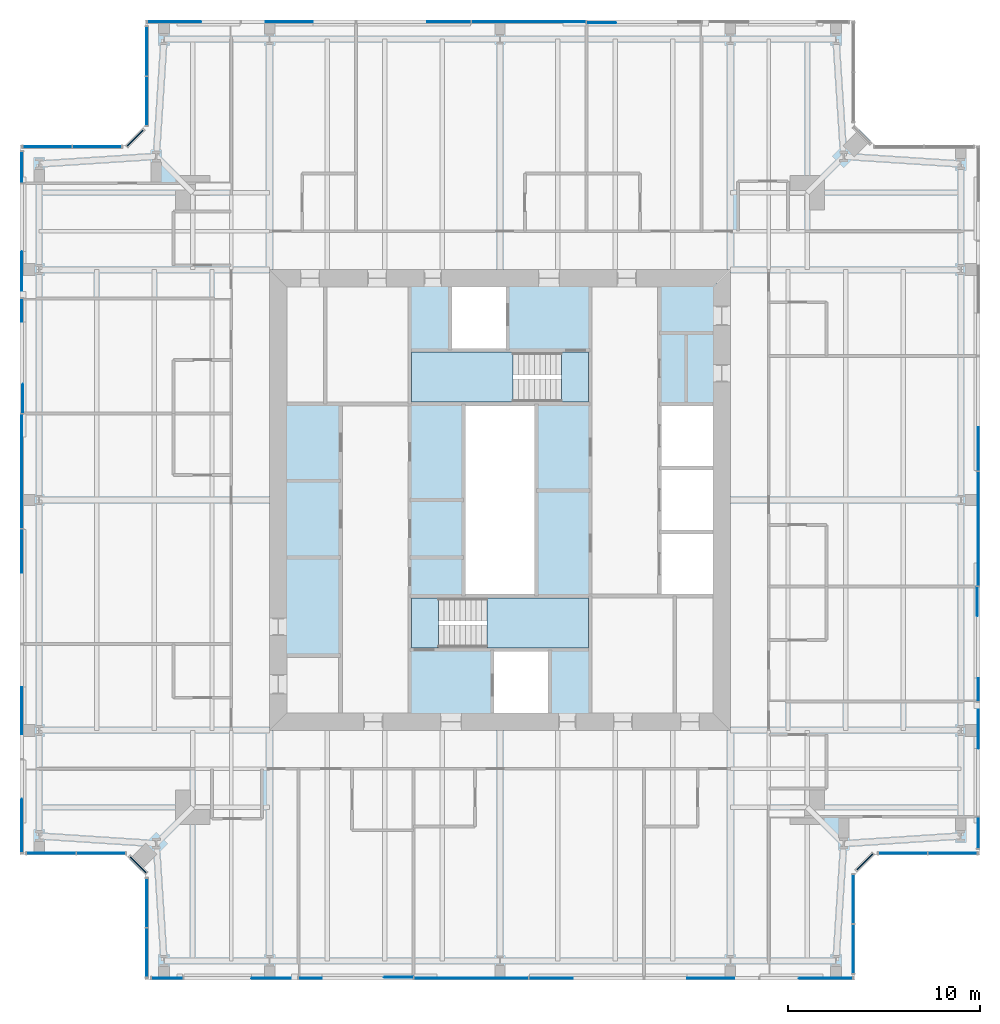
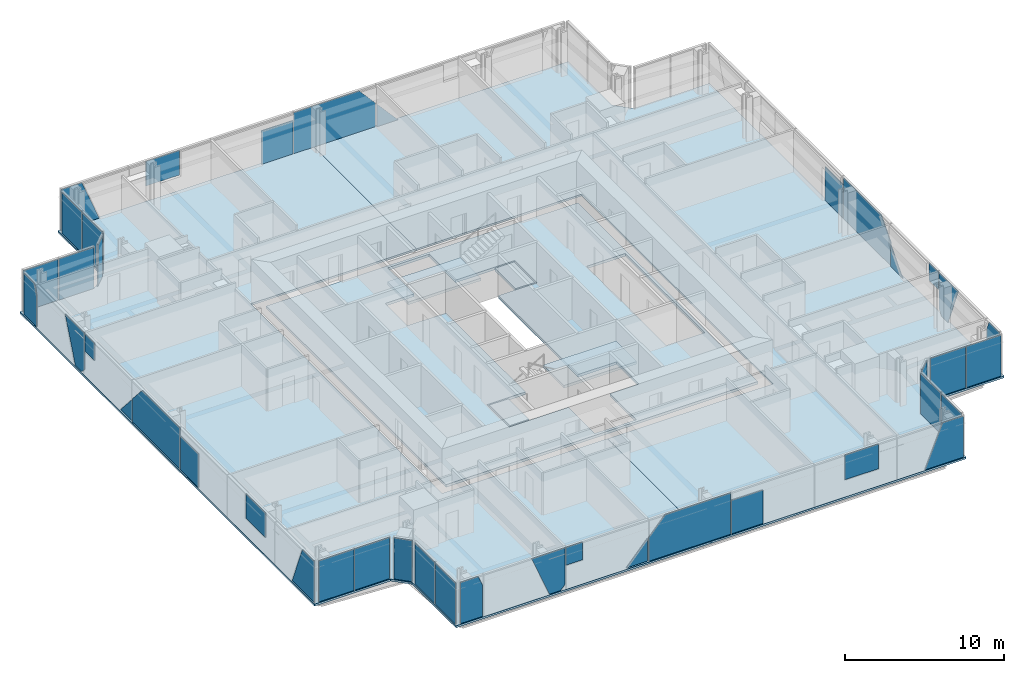
# One storey, part 10 of 19: 42 plates, 7 slabs, 15 elements without a shape of their own.
"""IFC4 building model written with IfcOpenShell, lengths in metres."""

from ifc_helpers import new_model, si_unit, direction, frame, origin, origin_2d, place, context, subcontext, project, spatial, polyline, rectangle, outline, extrude, material, layer, layer_set, type_object, element, aggregate, save


model = new_model("IFC4")

# Units and contexts
model_context = context("Model", 3, precision=1e-05, world=origin(), true_north=direction((0.0, 1.0)))
body_context = subcontext(model_context, "Body", "Model", "MODEL_VIEW")
ifc_project = project(units=[si_unit("LENGTHUNIT", "METRE"), si_unit("AREAUNIT", "SQUARE_METRE"), si_unit("VOLUMEUNIT", "CUBIC_METRE"), si_unit("PLANEANGLEUNIT", "RADIAN"), si_unit("MASSUNIT", "GRAM", prefix="KILO")], contexts=[model_context])

# Site, building, storey
site_placement = place(None, origin())
site = spatial("IfcSite", under=ifc_project, at=site_placement, CompositionType="ELEMENT")
building_placement = place(site_placement, origin())
building = spatial("IfcBuilding", under=site, at=building_placement, Name="Fenwick Lantern Interchange", CompositionType="ELEMENT")
storey_placement = place(building_placement, frame((0.0, 0.0, 273.0)))
storey = spatial("IfcBuildingStorey", under=building, at=storey_placement, Name="L65", CompositionType="ELEMENT", Elevation=273.0)

# Slabs
ifc_material_1 = material(Name="Concrete f'c 35 MPa", Category="concrete")
ifc_layer_1 = layer(ifc_material_1, 0.199951171875)
ifc_layer_set_1 = layer_set([ifc_layer_1], Name="CORE FLOOR SLAB 200")
slab_type_1 = type_object("IfcSlabType", Name="CORE FLOOR SLAB 200", PredefinedType="FLOOR", material=ifc_layer_set_1)
slab_1_placement = place(storey_placement, frame((0.0, 0.0, -0.199951171875)))
element("IfcSlab", 1, at=slab_1_placement, inside=storey, type_object=slab_type_1, Name="L65/SLAB/CORE", PredefinedType="FLOOR", context=body_context, shape_type="SweptSolid", body=[
    extrude(outline(polyline([(13.699951171875, 36.300048828125), (36.300048828125, 36.300048828125), (36.300048828125, 13.699951171875), (13.699951171875, 13.699951171875), (13.699951171875, 36.300048828125)]), holes=[polyline([(24.60009765625, 13.89990234375), (27.60009765625, 13.89990234375), (27.60009765625, 17.199951171875), (29.699951171875, 17.199951171875), (29.699951171875, 20.0), (26.89990234375, 20.0), (26.89990234375, 30.0), (29.699951171875, 30.0), (29.699951171875, 32.800048828125), (25.39990234375, 32.800048828125), (25.39990234375, 36.10009765625), (22.39990234375, 36.10009765625), (22.39990234375, 32.800048828125), (20.300048828125, 32.800048828125), (20.300048828125, 30.0), (23.10009765625, 30.0), (23.10009765625, 20.0), (20.300048828125, 20.0), (20.300048828125, 17.199951171875), (24.60009765625, 17.199951171875), (24.60009765625, 13.89990234375)]), polyline([(33.300048828125, 20.0), (36.10009765625, 20.0), (36.10009765625, 23.333251953125), (36.10009765625, 26.666748046875), (36.10009765625, 30.0), (33.300048828125, 30.0), (33.300048828125, 26.666748046875), (33.300048828125, 23.333251953125), (33.300048828125, 20.0)])]), origin(), (0.0, 0.0, 1.0), 0.199951171875),
])
ifc_material_2 = material(Name="Concrete f'c 35 MPa", Category="concrete")
ifc_layer_2 = layer(ifc_material_2, 0.14990234375)
ifc_layer_set_2 = layer_set([ifc_layer_2], Name="Concrete f'c 35 MPa")
slab_type_2 = type_object("IfcSlabType", Name="FLOOR SLAB 150", PredefinedType="FLOOR", material=ifc_layer_set_2)
slab_2_placement = place(storey_placement, frame((0.0, 0.0, -0.14990234375)))
element("IfcSlab", 2, at=slab_2_placement, inside=storey, type_object=slab_type_2, Name="L65/SLAB/FW", PredefinedType="FLOOR", context=body_context, shape_type="SweptSolid", body=[
    extrude(outline(polyline([(6.5, 0.0), (6.5, 5.5), (5.5, 6.5), (0.0, 6.5), (0.0, 43.5), (5.5, 43.5), (6.5, 44.5), (6.5, 50.0), (25.0, 50.0), (25.0, 37.0), (13.0, 37.0), (13.0, 13.0), (25.0, 13.0), (25.0, 0.0), (6.5, 0.0)])), origin(), (0.0, 0.0, 1.0), 0.14990234375),
])
slab_3_placement = place(storey_placement, frame((0.0, 0.0, -0.14990234375)))
element("IfcSlab", 3, at=slab_3_placement, inside=storey, type_object=slab_type_2, Name="L65/SLAB/FE", PredefinedType="FLOOR", context=body_context, shape_type="SweptSolid", body=[
    extrude(outline(polyline([(43.5, 50.0), (43.5, 44.5), (44.5, 43.5), (50.0, 43.5), (50.0, 6.5), (44.5, 6.5), (43.5, 5.5), (43.5, 0.0), (25.0, 0.0), (25.0, 13.0), (37.0, 13.0), (37.0, 37.0), (25.0, 37.0), (25.0, 50.0), (43.5, 50.0)])), origin(), (0.0, 0.0, 1.0), 0.14990234375),
])

# Curtain wall, plates
ifc_material_3 = material(Name="Aluminium curtain wall frame", Category="aluminium")
curtain_wall_type = type_object("IfcCurtainWallType", Name="HOTEL CURTAIN WALL", PredefinedType="USERDEFINED", material=ifc_material_3)
curtain_wall_1_placement = place(storey_placement, origin())
curtain_wall_1 = element("IfcCurtainWall", 4, at=curtain_wall_1_placement, inside=storey, type_object=curtain_wall_type, Name="Hotel curtain wall 01", ObjectType="HOTEL CURTAIN WALL", PredefinedType="USERDEFINED")
ifc_material_4 = material(Name="Vision glass, acoustic laminated double glazed unit", Category="glass")
ifc_layer_3 = layer(ifc_material_4, 0.052001953125)
ifc_layer_set_3 = layer_set([ifc_layer_3], Name="HOTEL CURTAIN WALL PANEL 52")
plate_type = type_object("IfcPlateType", Name="HOTEL CURTAIN WALL PANEL 52", PredefinedType="CURTAIN_PANEL", material=ifc_layer_set_3)
plate_1_placement = place(storey_placement, frame((6.60009765625, 0.10009765625, 0.0), z_axis=(0.0, 0.0, 1.0), x_axis=(1.0, 0.0, 0.0)))
plate_1 = element("IfcPlate", 5, at=plate_1_placement, type_object=plate_type, Name="L65/CW/01/P00a", PredefinedType="CURTAIN_PANEL", context=body_context, shape_type="SweptSolid", body=[
    extrude(outline(polyline([(0.260009765625, 0.0), (1.8701171875, 0.0), (1.8701171875, 2.394287109375), (1.564453125, 3.14990234375), (0.260009765625, 3.14990234375), (0.260009765625, 0.0)])), frame((0.0, 0.02587890625, 0.0), z_axis=(0.0, -1.0, 0.0), x_axis=(1.0, 0.0, 0.0)), (0.0, 0.0, 1.0), 0.052001953125),
])
plate_2_placement = place(storey_placement, frame((6.60009765625, 0.10009765625, 0.0), z_axis=(0.0, 0.0, 1.0), x_axis=(1.0, 0.0, 0.0)))
plate_2 = element("IfcPlate", 6, at=plate_2_placement, type_object=plate_type, Name="L65/CW/01/P01a", PredefinedType="CURTAIN_PANEL", context=body_context, shape_type="SweptSolid", body=[
    extrude(outline(polyline([(6.721435546875, 0.0), (7.5341796875, 0.0), (7.8701171875, 0.380615234375), (7.8701171875, 3.14990234375), (5.44775390625, 3.14990234375), (6.721435546875, 0.0)])), frame((0.0, 0.02587890625, 0.0), z_axis=(0.0, -1.0, 0.0), x_axis=(1.0, 0.0, 0.0)), (0.0, 0.0, 1.0), 0.052001953125),
])
plate_3_placement = place(storey_placement, frame((6.60009765625, 0.10009765625, 1.79736328125), z_axis=(0.0, 0.0, 1.0), x_axis=(1.0, 0.0, 0.0)))
plate_3 = element("IfcPlate", 7, at=plate_3_placement, type_object=plate_type, Name="L65/CW/01/P02a", PredefinedType="CURTAIN_PANEL", context=body_context, shape_type="SweptSolid", body=[
    extrude(outline(polyline([(7.929931640625, 0.0), (9.1201171875, 0.0), (9.1201171875, 1.3525390625), (7.929931640625, 1.3525390625), (7.929931640625, 0.0)])), frame((0.0, 0.02587890625, 0.0), z_axis=(0.0, -1.0, 0.0), x_axis=(1.0, 0.0, 0.0)), (0.0, 0.0, 1.0), 0.052001953125),
])
plate_4_placement = place(storey_placement, frame((6.60009765625, 0.10009765625, 0.0), z_axis=(0.0, 0.0, 1.0), x_axis=(1.0, 0.0, 0.0)))
plate_4 = element("IfcPlate", 8, at=plate_4_placement, type_object=plate_type, Name="L65/CW/01/P02b", PredefinedType="CURTAIN_PANEL", context=body_context, shape_type="SweptSolid", body=[
    extrude(outline(polyline([(12.335205078125, 0.0), (13.8701171875, 0.0), (13.8701171875, 1.739501953125), (12.335205078125, 0.0)])), frame((0.0, 0.080078125, 0.0), z_axis=(0.0, -1.0, 0.0), x_axis=(1.0, 0.0, 0.0)), (0.0, 0.0, 1.0), 0.052001953125),
])
plate_5_placement = place(storey_placement, frame((6.60009765625, 0.10009765625, 0.0), z_axis=(0.0, 0.0, 1.0), x_axis=(1.0, 0.0, 0.0)))
plate_5 = element("IfcPlate", 9, at=plate_5_placement, type_object=plate_type, Name="L65/CW/01/P03a", PredefinedType="CURTAIN_PANEL", context=body_context, shape_type="SweptSolid", body=[
    extrude(outline(polyline([(13.929931640625, 0.0), (19.8701171875, 0.0), (19.8701171875, 3.14990234375), (15.11474609375, 3.14990234375), (13.929931640625, 1.807373046875), (13.929931640625, 0.0)])), frame((0.0, 0.02587890625, 0.0), z_axis=(0.0, -1.0, 0.0), x_axis=(1.0, 0.0, 0.0)), (0.0, 0.0, 1.0), 0.052001953125),
])
plate_6_placement = place(storey_placement, frame((6.60009765625, 0.10009765625, 0.0), z_axis=(0.0, 0.0, 1.0), x_axis=(1.0, 0.0, 0.0)))
plate_6 = element("IfcPlate", 10, at=plate_6_placement, type_object=plate_type, Name="L65/CW/01/P04a", PredefinedType="CURTAIN_PANEL", context=body_context, shape_type="SweptSolid", body=[
    extrude(outline(polyline([(19.929931640625, 0.0), (22.195068359375, 0.0), (22.195068359375, 2.572509765625), (19.929931640625, 2.572509765625), (19.929931640625, 0.0)])), frame((0.0, 0.02587890625, 0.0), z_axis=(0.0, -1.0, 0.0), x_axis=(1.0, 0.0, 0.0)), (0.0, 0.0, 1.0), 0.052001953125),
])
plate_7_placement = place(storey_placement, frame((6.60009765625, 0.10009765625, 1.2685546875), z_axis=(0.0, 0.0, 1.0), x_axis=(1.0, 0.0, 0.0)))
plate_7 = element("IfcPlate", 11, at=plate_7_placement, type_object=plate_type, Name="L65/CW/01/P05a", PredefinedType="CURTAIN_PANEL", context=body_context, shape_type="SweptSolid", body=[
    extrude(outline(polyline([(28.146484375, 0.0), (30.59130859375, 0.0), (30.59130859375, 1.88134765625), (28.146484375, 1.88134765625), (28.146484375, 0.0)])), frame((0.0, 0.02587890625, 0.0), z_axis=(0.0, -1.0, 0.0), x_axis=(1.0, 0.0, 0.0)), (0.0, 0.0, 1.0), 0.052001953125),
])
plate_8_placement = place(storey_placement, frame((6.60009765625, 0.10009765625, 0.0), z_axis=(0.0, 0.0, 1.0), x_axis=(1.0, 0.0, 0.0)))
plate_8 = element("IfcPlate", 12, at=plate_8_placement, type_object=plate_type, Name="L65/CW/01/P06a", PredefinedType="CURTAIN_PANEL", context=body_context, shape_type="SweptSolid", body=[
    extrude(outline(polyline([(33.961669921875, 0.0), (36.739990234375, 0.0), (36.739990234375, 3.14990234375), (35.235595703125, 3.14990234375), (33.961669921875, 0.0)])), frame((0.0, 0.02587890625, 0.0), z_axis=(0.0, -1.0, 0.0), x_axis=(1.0, 0.0, 0.0)), (0.0, 0.0, 1.0), 0.052001953125),
])
aggregate(curtain_wall_1, [plate_1, plate_2, plate_3, plate_4, plate_5, plate_6, plate_7, plate_8])

curtain_wall_2_placement = place(storey_placement, origin())
curtain_wall_2 = element("IfcCurtainWall", 13, at=curtain_wall_2_placement, inside=storey, type_object=curtain_wall_type, Name="Hotel curtain wall 02", ObjectType="HOTEL CURTAIN WALL", PredefinedType="USERDEFINED")
plate_9_placement = place(storey_placement, frame((43.39990234375, 1.625244140625, 0.0), z_axis=(0.0, 0.0, 1.0), x_axis=(0.0, 1.0, 0.0)))
plate_9 = element("IfcPlate", 14, at=plate_9_placement, type_object=plate_type, Name="L65/CW/02/P00", PredefinedType="CURTAIN_PANEL", context=body_context, shape_type="SweptSolid", body=[
    extrude(rectangle(XDim=2.53076171875, YDim=0.052001953125, at=origin_2d()), origin(), (0.0, 0.0, 1.0), 3.14990234375),
])
plate_10_placement = place(storey_placement, frame((43.39990234375, 4.216064453125, 0.0), z_axis=(0.0, 0.0, 1.0), x_axis=(0.0, 1.0, 0.0)))
plate_10 = element("IfcPlate", 15, at=plate_10_placement, type_object=plate_type, Name="L65/CW/02/P01", PredefinedType="CURTAIN_PANEL", context=body_context, shape_type="SweptSolid", body=[
    extrude(rectangle(XDim=2.53076171875, YDim=0.052001953125, at=origin_2d()), origin(), (0.0, 0.0, 1.0), 3.14990234375),
])
aggregate(curtain_wall_2, [plate_9, plate_10])

# Curtain wall, plate
curtain_wall_3_placement = place(storey_placement, origin())
curtain_wall_3 = element("IfcCurtainWall", 16, at=curtain_wall_3_placement, inside=storey, type_object=curtain_wall_type, Name="Hotel curtain wall 03", ObjectType="HOTEL CURTAIN WALL", PredefinedType="USERDEFINED")
plate_11_placement = place(storey_placement, frame((44.0, 6.141357421875, 0.0), z_axis=(0.0, 0.0, 1.0), x_axis=(0.707106781187, 0.707106781187, 0.0)))
plate_11 = element("IfcPlate", 17, at=plate_11_placement, type_object=plate_type, Name="L65/CW/03/P00", PredefinedType="CURTAIN_PANEL", context=body_context, shape_type="SweptSolid", body=[
    extrude(rectangle(XDim=1.177001953125, YDim=0.052001953125, at=origin_2d()), origin(), (0.0, 0.0, 1.0), 3.14990234375),
])
aggregate(curtain_wall_3, [plate_11])

# Curtain wall, plates
curtain_wall_4_placement = place(storey_placement, origin())
curtain_wall_4 = element("IfcCurtainWall", 18, at=curtain_wall_4_placement, inside=storey, type_object=curtain_wall_type, Name="Hotel curtain wall 04", ObjectType="HOTEL CURTAIN WALL", PredefinedType="USERDEFINED")
plate_12_placement = place(storey_placement, frame((45.98388671875, 6.60009765625, 0.0), z_axis=(0.0, 0.0, 1.0), x_axis=(1.0, 0.0, 0.0)))
plate_12 = element("IfcPlate", 19, at=plate_12_placement, type_object=plate_type, Name="L65/CW/04/P00", PredefinedType="CURTAIN_PANEL", context=body_context, shape_type="SweptSolid", body=[
    extrude(rectangle(XDim=2.53076171875, YDim=0.052001953125, at=origin_2d()), origin(), (0.0, 0.0, 1.0), 3.14990234375),
])
plate_13_placement = place(storey_placement, frame((48.57470703125, 6.60009765625, 0.0), z_axis=(0.0, 0.0, 1.0), x_axis=(1.0, 0.0, 0.0)))
plate_13 = element("IfcPlate", 20, at=plate_13_placement, type_object=plate_type, Name="L65/CW/04/P01", PredefinedType="CURTAIN_PANEL", context=body_context, shape_type="SweptSolid", body=[
    extrude(rectangle(XDim=2.53076171875, YDim=0.052001953125, at=origin_2d()), origin(), (0.0, 0.0, 1.0), 3.14990234375),
])
aggregate(curtain_wall_4, [plate_12, plate_13])

curtain_wall_5_placement = place(storey_placement, origin())
curtain_wall_5 = element("IfcCurtainWall", 21, at=curtain_wall_5_placement, inside=storey, type_object=curtain_wall_type, Name="Hotel curtain wall 05", ObjectType="HOTEL CURTAIN WALL", PredefinedType="USERDEFINED")
plate_14_placement = place(storey_placement, frame((49.89990234375, 6.60009765625, 0.0), z_axis=(0.0, 0.0, 1.0), x_axis=(0.0, 1.0, 0.0)))
plate_14 = element("IfcPlate", 22, at=plate_14_placement, type_object=plate_type, Name="L65/CW/05/P00a", PredefinedType="CURTAIN_PANEL", context=body_context, shape_type="SweptSolid", body=[
    extrude(outline(polyline([(0.260009765625, 0.0), (1.8701171875, 0.0), (1.8701171875, 2.394287109375), (1.564453125, 3.14990234375), (0.260009765625, 3.14990234375), (0.260009765625, 0.0)])), frame((0.0, 0.02587890625, 0.0), z_axis=(0.0, -1.0, 0.0), x_axis=(1.0, 0.0, 0.0)), (0.0, 0.0, 1.0), 0.052001953125),
])
plate_15_placement = place(storey_placement, frame((49.89990234375, 6.60009765625, 0.0), z_axis=(0.0, 0.0, 1.0), x_axis=(0.0, 1.0, 0.0)))
plate_15 = element("IfcPlate", 23, at=plate_15_placement, type_object=plate_type, Name="L65/CW/05/P01a", PredefinedType="CURTAIN_PANEL", context=body_context, shape_type="SweptSolid", body=[
    extrude(outline(polyline([(6.721435546875, 0.0), (7.5341796875, 0.0), (7.8701171875, 0.380615234375), (7.8701171875, 3.14990234375), (5.44775390625, 3.14990234375), (6.721435546875, 0.0)])), frame((0.0, 0.02587890625, 0.0), z_axis=(0.0, -1.0, 0.0), x_axis=(1.0, 0.0, 0.0)), (0.0, 0.0, 1.0), 0.052001953125),
])
plate_16_placement = place(storey_placement, frame((49.89990234375, 6.60009765625, 1.79736328125), z_axis=(0.0, 0.0, 1.0), x_axis=(0.0, 1.0, 0.0)))
plate_16 = element("IfcPlate", 24, at=plate_16_placement, type_object=plate_type, Name="L65/CW/05/P02a", PredefinedType="CURTAIN_PANEL", context=body_context, shape_type="SweptSolid", body=[
    extrude(outline(polyline([(7.929931640625, 0.0), (9.1201171875, 0.0), (9.1201171875, 1.3525390625), (7.929931640625, 1.3525390625), (7.929931640625, 0.0)])), frame((0.0, 0.02587890625, 0.0), z_axis=(0.0, -1.0, 0.0), x_axis=(1.0, 0.0, 0.0)), (0.0, 0.0, 1.0), 0.052001953125),
])
plate_17_placement = place(storey_placement, frame((49.89990234375, 6.60009765625, 0.0), z_axis=(0.0, 0.0, 1.0), x_axis=(0.0, 1.0, 0.0)))
plate_17 = element("IfcPlate", 25, at=plate_17_placement, type_object=plate_type, Name="L65/CW/05/P02b", PredefinedType="CURTAIN_PANEL", context=body_context, shape_type="SweptSolid", body=[
    extrude(outline(polyline([(12.335205078125, 0.0), (13.8701171875, 0.0), (13.8701171875, 1.739501953125), (12.335205078125, 0.0)])), frame((0.0, 0.080078125, 0.0), z_axis=(0.0, -1.0, 0.0), x_axis=(1.0, 0.0, 0.0)), (0.0, 0.0, 1.0), 0.052001953125),
])
plate_18_placement = place(storey_placement, frame((49.89990234375, 6.60009765625, 0.0), z_axis=(0.0, 0.0, 1.0), x_axis=(0.0, 1.0, 0.0)))
plate_18 = element("IfcPlate", 26, at=plate_18_placement, type_object=plate_type, Name="L65/CW/05/P03a", PredefinedType="CURTAIN_PANEL", context=body_context, shape_type="SweptSolid", body=[
    extrude(outline(polyline([(13.929931640625, 0.0), (19.8701171875, 0.0), (19.8701171875, 3.14990234375), (15.11474609375, 3.14990234375), (13.929931640625, 1.807373046875), (13.929931640625, 0.0)])), frame((0.0, 0.02587890625, 0.0), z_axis=(0.0, -1.0, 0.0), x_axis=(1.0, 0.0, 0.0)), (0.0, 0.0, 1.0), 0.052001953125),
])
plate_19_placement = place(storey_placement, frame((49.89990234375, 6.60009765625, 0.0), z_axis=(0.0, 0.0, 1.0), x_axis=(0.0, 1.0, 0.0)))
plate_19 = element("IfcPlate", 27, at=plate_19_placement, type_object=plate_type, Name="L65/CW/05/P04a", PredefinedType="CURTAIN_PANEL", context=body_context, shape_type="SweptSolid", body=[
    extrude(outline(polyline([(19.929931640625, 0.0), (22.195068359375, 0.0), (22.195068359375, 2.572509765625), (19.929931640625, 2.572509765625), (19.929931640625, 0.0)])), frame((0.0, 0.02587890625, 0.0), z_axis=(0.0, -1.0, 0.0), x_axis=(1.0, 0.0, 0.0)), (0.0, 0.0, 1.0), 0.052001953125),
])
aggregate(curtain_wall_5, [plate_14, plate_15, plate_16, plate_17, plate_18, plate_19])

curtain_wall_6_placement = place(storey_placement, origin())
curtain_wall_6 = element("IfcCurtainWall", 28, at=curtain_wall_6_placement, inside=storey, type_object=curtain_wall_type, Name="Hotel curtain wall 09", ObjectType="HOTEL CURTAIN WALL", PredefinedType="USERDEFINED")
plate_20_placement = place(storey_placement, frame((43.39990234375, 49.89990234375, 0.0), z_axis=(0.0, 0.0, 1.0), x_axis=(-1.0, 0.0, 0.0)))
plate_20 = element("IfcPlate", 29, at=plate_20_placement, type_object=plate_type, Name="L65/CW/09/P02b", PredefinedType="CURTAIN_PANEL", context=body_context, shape_type="SweptSolid", body=[
    extrude(outline(polyline([(12.335205078125, 0.0), (13.8701171875, 0.0), (13.8701171875, 1.739501953125), (12.335205078125, 0.0)])), frame((0.0, 0.080078125, 0.0), z_axis=(0.0, -1.0, 0.0), x_axis=(1.0, 0.0, 0.0)), (0.0, 0.0, 1.0), 0.052001953125),
])
plate_21_placement = place(storey_placement, frame((43.39990234375, 49.89990234375, 0.0), z_axis=(0.0, 0.0, 1.0), x_axis=(-1.0, 0.0, 0.0)))
plate_21 = element("IfcPlate", 30, at=plate_21_placement, type_object=plate_type, Name="L65/CW/09/P03a", PredefinedType="CURTAIN_PANEL", context=body_context, shape_type="SweptSolid", body=[
    extrude(outline(polyline([(13.929931640625, 0.0), (19.8701171875, 0.0), (19.8701171875, 3.14990234375), (15.11474609375, 3.14990234375), (13.929931640625, 1.807373046875), (13.929931640625, 0.0)])), frame((0.0, 0.02587890625, 0.0), z_axis=(0.0, -1.0, 0.0), x_axis=(1.0, 0.0, 0.0)), (0.0, 0.0, 1.0), 0.052001953125),
])
plate_22_placement = place(storey_placement, frame((43.39990234375, 49.89990234375, 0.0), z_axis=(0.0, 0.0, 1.0), x_axis=(-1.0, 0.0, 0.0)))
plate_22 = element("IfcPlate", 31, at=plate_22_placement, type_object=plate_type, Name="L65/CW/09/P04a", PredefinedType="CURTAIN_PANEL", context=body_context, shape_type="SweptSolid", body=[
    extrude(outline(polyline([(19.929931640625, 0.0), (22.195068359375, 0.0), (22.195068359375, 2.572509765625), (19.929931640625, 2.572509765625), (19.929931640625, 0.0)])), frame((0.0, 0.02587890625, 0.0), z_axis=(0.0, -1.0, 0.0), x_axis=(1.0, 0.0, 0.0)), (0.0, 0.0, 1.0), 0.052001953125),
])
plate_23_placement = place(storey_placement, frame((43.39990234375, 49.89990234375, 1.2685546875), z_axis=(0.0, 0.0, 1.0), x_axis=(-1.0, 0.0, 0.0)))
plate_23 = element("IfcPlate", 32, at=plate_23_placement, type_object=plate_type, Name="L65/CW/09/P05a", PredefinedType="CURTAIN_PANEL", context=body_context, shape_type="SweptSolid", body=[
    extrude(outline(polyline([(28.146484375, 0.0), (30.59130859375, 0.0), (30.59130859375, 1.88134765625), (28.146484375, 1.88134765625), (28.146484375, 0.0)])), frame((0.0, 0.02587890625, 0.0), z_axis=(0.0, -1.0, 0.0), x_axis=(1.0, 0.0, 0.0)), (0.0, 0.0, 1.0), 0.052001953125),
])
plate_24_placement = place(storey_placement, frame((43.39990234375, 49.89990234375, 0.0), z_axis=(0.0, 0.0, 1.0), x_axis=(-1.0, 0.0, 0.0)))
plate_24 = element("IfcPlate", 33, at=plate_24_placement, type_object=plate_type, Name="L65/CW/09/P06a", PredefinedType="CURTAIN_PANEL", context=body_context, shape_type="SweptSolid", body=[
    extrude(outline(polyline([(33.961669921875, 0.0), (36.739990234375, 0.0), (36.739990234375, 3.14990234375), (35.235595703125, 3.14990234375), (33.961669921875, 0.0)])), frame((0.0, 0.02587890625, 0.0), z_axis=(0.0, -1.0, 0.0), x_axis=(1.0, 0.0, 0.0)), (0.0, 0.0, 1.0), 0.052001953125),
])
aggregate(curtain_wall_6, [plate_20, plate_21, plate_22, plate_23, plate_24])

curtain_wall_7_placement = place(storey_placement, origin())
curtain_wall_7 = element("IfcCurtainWall", 34, at=curtain_wall_7_placement, inside=storey, type_object=curtain_wall_type, Name="Hotel curtain wall 10", ObjectType="HOTEL CURTAIN WALL", PredefinedType="USERDEFINED")
plate_25_placement = place(storey_placement, frame((6.60009765625, 48.374755859375, 0.0), z_axis=(0.0, 0.0, 1.0), x_axis=(0.0, -1.0, 0.0)))
plate_25 = element("IfcPlate", 35, at=plate_25_placement, type_object=plate_type, Name="L65/CW/10/P00", PredefinedType="CURTAIN_PANEL", context=body_context, shape_type="SweptSolid", body=[
    extrude(rectangle(XDim=2.53076171875, YDim=0.052001953125, at=origin_2d()), origin(), (0.0, 0.0, 1.0), 3.14990234375),
])
plate_26_placement = place(storey_placement, frame((6.60009765625, 45.783935546875, 0.0), z_axis=(0.0, 0.0, 1.0), x_axis=(0.0, -1.0, 0.0)))
plate_26 = element("IfcPlate", 36, at=plate_26_placement, type_object=plate_type, Name="L65/CW/10/P01", PredefinedType="CURTAIN_PANEL", context=body_context, shape_type="SweptSolid", body=[
    extrude(rectangle(XDim=2.53076171875, YDim=0.052001953125, at=origin_2d()), origin(), (0.0, 0.0, 1.0), 3.14990234375),
])
aggregate(curtain_wall_7, [plate_25, plate_26])

# Curtain wall, plate
curtain_wall_8_placement = place(storey_placement, origin())
curtain_wall_8 = element("IfcCurtainWall", 37, at=curtain_wall_8_placement, inside=storey, type_object=curtain_wall_type, Name="Hotel curtain wall 11", ObjectType="HOTEL CURTAIN WALL", PredefinedType="USERDEFINED")
plate_27_placement = place(storey_placement, frame((6.0, 43.858642578125, 0.0), z_axis=(0.0, 0.0, 1.0), x_axis=(-0.707106781187, -0.707106781187, 0.0)))
plate_27 = element("IfcPlate", 38, at=plate_27_placement, type_object=plate_type, Name="L65/CW/11/P00", PredefinedType="CURTAIN_PANEL", context=body_context, shape_type="SweptSolid", body=[
    extrude(rectangle(XDim=1.177001953125, YDim=0.052001953125, at=origin_2d()), origin(), (0.0, 0.0, 1.0), 3.14990234375),
])
aggregate(curtain_wall_8, [plate_27])

# Curtain wall, plates
curtain_wall_9_placement = place(storey_placement, origin())
curtain_wall_9 = element("IfcCurtainWall", 39, at=curtain_wall_9_placement, inside=storey, type_object=curtain_wall_type, Name="Hotel curtain wall 12", ObjectType="HOTEL CURTAIN WALL", PredefinedType="USERDEFINED")
plate_28_placement = place(storey_placement, frame((4.01611328125, 43.39990234375, 0.0), z_axis=(0.0, 0.0, 1.0), x_axis=(-1.0, 0.0, 0.0)))
plate_28 = element("IfcPlate", 40, at=plate_28_placement, type_object=plate_type, Name="L65/CW/12/P00", PredefinedType="CURTAIN_PANEL", context=body_context, shape_type="SweptSolid", body=[
    extrude(rectangle(XDim=2.53076171875, YDim=0.052001953125, at=origin_2d()), origin(), (0.0, 0.0, 1.0), 3.14990234375),
])
plate_29_placement = place(storey_placement, frame((1.42529296875, 43.39990234375, 0.0), z_axis=(0.0, 0.0, 1.0), x_axis=(-1.0, 0.0, 0.0)))
plate_29 = element("IfcPlate", 41, at=plate_29_placement, type_object=plate_type, Name="L65/CW/12/P01", PredefinedType="CURTAIN_PANEL", context=body_context, shape_type="SweptSolid", body=[
    extrude(rectangle(XDim=2.53076171875, YDim=0.052001953125, at=origin_2d()), origin(), (0.0, 0.0, 1.0), 3.14990234375),
])
aggregate(curtain_wall_9, [plate_28, plate_29])

curtain_wall_10_placement = place(storey_placement, origin())
curtain_wall_10 = element("IfcCurtainWall", 42, at=curtain_wall_10_placement, inside=storey, type_object=curtain_wall_type, Name="Hotel curtain wall 13", ObjectType="HOTEL CURTAIN WALL", PredefinedType="USERDEFINED")
plate_30_placement = place(storey_placement, frame((0.10009765625, 43.39990234375, 0.0), z_axis=(0.0, 0.0, 1.0), x_axis=(0.0, -1.0, 0.0)))
plate_30 = element("IfcPlate", 43, at=plate_30_placement, type_object=plate_type, Name="L65/CW/13/P00a", PredefinedType="CURTAIN_PANEL", context=body_context, shape_type="SweptSolid", body=[
    extrude(outline(polyline([(0.260009765625, 0.0), (1.8701171875, 0.0), (1.8701171875, 2.394287109375), (1.564453125, 3.14990234375), (0.260009765625, 3.14990234375), (0.260009765625, 0.0)])), frame((0.0, 0.02587890625, 0.0), z_axis=(0.0, -1.0, 0.0), x_axis=(1.0, 0.0, 0.0)), (0.0, 0.0, 1.0), 0.052001953125),
])
plate_31_placement = place(storey_placement, frame((0.10009765625, 43.39990234375, 0.0), z_axis=(0.0, 0.0, 1.0), x_axis=(0.0, -1.0, 0.0)))
plate_31 = element("IfcPlate", 44, at=plate_31_placement, type_object=plate_type, Name="L65/CW/13/P01a", PredefinedType="CURTAIN_PANEL", context=body_context, shape_type="SweptSolid", body=[
    extrude(outline(polyline([(6.721435546875, 0.0), (7.5341796875, 0.0), (7.8701171875, 0.380615234375), (7.8701171875, 3.14990234375), (5.44775390625, 3.14990234375), (6.721435546875, 0.0)])), frame((0.0, 0.02587890625, 0.0), z_axis=(0.0, -1.0, 0.0), x_axis=(1.0, 0.0, 0.0)), (0.0, 0.0, 1.0), 0.052001953125),
])
plate_32_placement = place(storey_placement, frame((0.10009765625, 43.39990234375, 1.79736328125), z_axis=(0.0, 0.0, 1.0), x_axis=(0.0, -1.0, 0.0)))
plate_32 = element("IfcPlate", 45, at=plate_32_placement, type_object=plate_type, Name="L65/CW/13/P02a", PredefinedType="CURTAIN_PANEL", context=body_context, shape_type="SweptSolid", body=[
    extrude(outline(polyline([(7.929931640625, 0.0), (9.1201171875, 0.0), (9.1201171875, 1.3525390625), (7.929931640625, 1.3525390625), (7.929931640625, 0.0)])), frame((0.0, 0.02587890625, 0.0), z_axis=(0.0, -1.0, 0.0), x_axis=(1.0, 0.0, 0.0)), (0.0, 0.0, 1.0), 0.052001953125),
])
plate_33_placement = place(storey_placement, frame((0.10009765625, 43.39990234375, 0.0), z_axis=(0.0, 0.0, 1.0), x_axis=(0.0, -1.0, 0.0)))
plate_33 = element("IfcPlate", 46, at=plate_33_placement, type_object=plate_type, Name="L65/CW/13/P02b", PredefinedType="CURTAIN_PANEL", context=body_context, shape_type="SweptSolid", body=[
    extrude(outline(polyline([(12.335205078125, 0.0), (13.8701171875, 0.0), (13.8701171875, 1.739501953125), (12.335205078125, 0.0)])), frame((0.0, 0.080078125, 0.0), z_axis=(0.0, -1.0, 0.0), x_axis=(1.0, 0.0, 0.0)), (0.0, 0.0, 1.0), 0.052001953125),
])
plate_34_placement = place(storey_placement, frame((0.10009765625, 43.39990234375, 0.0), z_axis=(0.0, 0.0, 1.0), x_axis=(0.0, -1.0, 0.0)))
plate_34 = element("IfcPlate", 47, at=plate_34_placement, type_object=plate_type, Name="L65/CW/13/P03a", PredefinedType="CURTAIN_PANEL", context=body_context, shape_type="SweptSolid", body=[
    extrude(outline(polyline([(13.929931640625, 0.0), (19.8701171875, 0.0), (19.8701171875, 3.14990234375), (15.11474609375, 3.14990234375), (13.929931640625, 1.807373046875), (13.929931640625, 0.0)])), frame((0.0, 0.02587890625, 0.0), z_axis=(0.0, -1.0, 0.0), x_axis=(1.0, 0.0, 0.0)), (0.0, 0.0, 1.0), 0.052001953125),
])
plate_35_placement = place(storey_placement, frame((0.10009765625, 43.39990234375, 0.0), z_axis=(0.0, 0.0, 1.0), x_axis=(0.0, -1.0, 0.0)))
plate_35 = element("IfcPlate", 48, at=plate_35_placement, type_object=plate_type, Name="L65/CW/13/P04a", PredefinedType="CURTAIN_PANEL", context=body_context, shape_type="SweptSolid", body=[
    extrude(outline(polyline([(19.929931640625, 0.0), (22.195068359375, 0.0), (22.195068359375, 2.572509765625), (19.929931640625, 2.572509765625), (19.929931640625, 0.0)])), frame((0.0, 0.02587890625, 0.0), z_axis=(0.0, -1.0, 0.0), x_axis=(1.0, 0.0, 0.0)), (0.0, 0.0, 1.0), 0.052001953125),
])
plate_36_placement = place(storey_placement, frame((0.10009765625, 43.39990234375, 1.2685546875), z_axis=(0.0, 0.0, 1.0), x_axis=(0.0, -1.0, 0.0)))
plate_36 = element("IfcPlate", 49, at=plate_36_placement, type_object=plate_type, Name="L65/CW/13/P05a", PredefinedType="CURTAIN_PANEL", context=body_context, shape_type="SweptSolid", body=[
    extrude(outline(polyline([(28.146484375, 0.0), (30.59130859375, 0.0), (30.59130859375, 1.88134765625), (28.146484375, 1.88134765625), (28.146484375, 0.0)])), frame((0.0, 0.02587890625, 0.0), z_axis=(0.0, -1.0, 0.0), x_axis=(1.0, 0.0, 0.0)), (0.0, 0.0, 1.0), 0.052001953125),
])
plate_37_placement = place(storey_placement, frame((0.10009765625, 43.39990234375, 0.0), z_axis=(0.0, 0.0, 1.0), x_axis=(0.0, -1.0, 0.0)))
plate_37 = element("IfcPlate", 50, at=plate_37_placement, type_object=plate_type, Name="L65/CW/13/P06a", PredefinedType="CURTAIN_PANEL", context=body_context, shape_type="SweptSolid", body=[
    extrude(outline(polyline([(33.961669921875, 0.0), (36.739990234375, 0.0), (36.739990234375, 3.14990234375), (35.235595703125, 3.14990234375), (33.961669921875, 0.0)])), frame((0.0, 0.02587890625, 0.0), z_axis=(0.0, -1.0, 0.0), x_axis=(1.0, 0.0, 0.0)), (0.0, 0.0, 1.0), 0.052001953125),
])
aggregate(curtain_wall_10, [plate_30, plate_31, plate_32, plate_33, plate_34, plate_35, plate_36, plate_37])

curtain_wall_11_placement = place(storey_placement, origin())
curtain_wall_11 = element("IfcCurtainWall", 51, at=curtain_wall_11_placement, inside=storey, type_object=curtain_wall_type, Name="Hotel curtain wall 14", ObjectType="HOTEL CURTAIN WALL", PredefinedType="USERDEFINED")
plate_38_placement = place(storey_placement, frame((1.625244140625, 6.60009765625, 0.0), z_axis=(0.0, 0.0, 1.0), x_axis=(1.0, 0.0, 0.0)))
plate_38 = element("IfcPlate", 52, at=plate_38_placement, type_object=plate_type, Name="L65/CW/14/P00", PredefinedType="CURTAIN_PANEL", context=body_context, shape_type="SweptSolid", body=[
    extrude(rectangle(XDim=2.53076171875, YDim=0.052001953125, at=origin_2d()), origin(), (0.0, 0.0, 1.0), 3.14990234375),
])
plate_39_placement = place(storey_placement, frame((4.216064453125, 6.60009765625, 0.0), z_axis=(0.0, 0.0, 1.0), x_axis=(1.0, 0.0, 0.0)))
plate_39 = element("IfcPlate", 53, at=plate_39_placement, type_object=plate_type, Name="L65/CW/14/P01", PredefinedType="CURTAIN_PANEL", context=body_context, shape_type="SweptSolid", body=[
    extrude(rectangle(XDim=2.53076171875, YDim=0.052001953125, at=origin_2d()), origin(), (0.0, 0.0, 1.0), 3.14990234375),
])
aggregate(curtain_wall_11, [plate_38, plate_39])

# Curtain wall, plate
curtain_wall_12_placement = place(storey_placement, origin())
curtain_wall_12 = element("IfcCurtainWall", 54, at=curtain_wall_12_placement, inside=storey, type_object=curtain_wall_type, Name="Hotel curtain wall 15", ObjectType="HOTEL CURTAIN WALL", PredefinedType="USERDEFINED")
plate_40_placement = place(storey_placement, frame((6.141357421875, 6.0, 0.0), z_axis=(0.0, 0.0, 1.0), x_axis=(0.707106781187, -0.707106781187, 0.0)))
plate_40 = element("IfcPlate", 55, at=plate_40_placement, type_object=plate_type, Name="L65/CW/15/P00", PredefinedType="CURTAIN_PANEL", context=body_context, shape_type="SweptSolid", body=[
    extrude(rectangle(XDim=1.177001953125, YDim=0.052001953125, at=origin_2d()), origin(), (0.0, 0.0, 1.0), 3.14990234375),
])
aggregate(curtain_wall_12, [plate_40])

# Curtain wall, plates
curtain_wall_13_placement = place(storey_placement, origin())
curtain_wall_13 = element("IfcCurtainWall", 56, at=curtain_wall_13_placement, inside=storey, type_object=curtain_wall_type, Name="Hotel curtain wall 16", ObjectType="HOTEL CURTAIN WALL", PredefinedType="USERDEFINED")
plate_41_placement = place(storey_placement, frame((6.60009765625, 4.01611328125, 0.0), z_axis=(0.0, 0.0, 1.0), x_axis=(0.0, -1.0, 0.0)))
plate_41 = element("IfcPlate", 57, at=plate_41_placement, type_object=plate_type, Name="L65/CW/16/P00", PredefinedType="CURTAIN_PANEL", context=body_context, shape_type="SweptSolid", body=[
    extrude(rectangle(XDim=2.53076171875, YDim=0.052001953125, at=origin_2d()), origin(), (0.0, 0.0, 1.0), 3.14990234375),
])
plate_42_placement = place(storey_placement, frame((6.60009765625, 1.42529296875, 0.0), z_axis=(0.0, 0.0, 1.0), x_axis=(0.0, -1.0, 0.0)))
plate_42 = element("IfcPlate", 58, at=plate_42_placement, type_object=plate_type, Name="L65/CW/16/P01", PredefinedType="CURTAIN_PANEL", context=body_context, shape_type="SweptSolid", body=[
    extrude(rectangle(XDim=2.53076171875, YDim=0.052001953125, at=origin_2d()), origin(), (0.0, 0.0, 1.0), 3.14990234375),
])
aggregate(curtain_wall_13, [plate_41, plate_42])

# Stair, slabs
ifc_material_5 = material(Name="Precast concrete f'c 35 MPa", Category="concrete")
stair_type = type_object("IfcStairType", Name="EXIT STAIR 1200", PredefinedType="HALF_TURN_STAIR", material=ifc_material_5)
stair_1_placement = place(storey_placement, origin())
stair_1 = element("IfcStair", 59, at=stair_1_placement, inside=storey, type_object=stair_type, Name="Exit stair ST1", PredefinedType="HALF_TURN_STAIR")
ifc_layer_4 = layer(ifc_material_1, 0.199951171875)
ifc_layer_set_4 = layer_set([ifc_layer_4], Name="STAIR LANDING 200")
slab_type_3 = type_object("IfcSlabType", Name="STAIR LANDING 200", PredefinedType="LANDING", material=ifc_layer_set_4)
slab_4_placement = place(storey_placement, frame((0.0, 0.0, 1.5)))
slab_4 = element("IfcSlab", 60, at=slab_4_placement, type_object=slab_type_3, Name="ST1 landing 1", PredefinedType="LANDING", context=body_context, shape_type="SweptSolid", body=[
    extrude(outline(polyline([(24.320068359375, 17.300048828125), (29.60009765625, 17.300048828125), (29.60009765625, 19.89990234375), (24.320068359375, 19.89990234375), (24.320068359375, 17.300048828125)])), origin(), (0.0, 0.0, 1.0), 0.199951171875),
])
slab_5_placement = place(storey_placement, frame((0.0, 0.0, -0.199951171875)))
slab_5 = element("IfcSlab", 61, at=slab_5_placement, type_object=slab_type_3, Name="ST1 landing 2", PredefinedType="LANDING", context=body_context, shape_type="SweptSolid", body=[
    extrude(outline(polyline([(20.39990234375, 17.300048828125), (21.800048828125, 17.300048828125), (21.800048828125, 19.89990234375), (20.39990234375, 19.89990234375), (20.39990234375, 17.300048828125)])), origin(), (0.0, 0.0, 1.0), 0.199951171875),
])
aggregate(stair_1, [slab_4, slab_5])

stair_2_placement = place(storey_placement, origin())
stair_2 = element("IfcStair", 62, at=stair_2_placement, inside=storey, type_object=stair_type, Name="Exit stair ST2", PredefinedType="HALF_TURN_STAIR")
slab_6_placement = place(storey_placement, frame((0.0, 0.0, 1.5)))
slab_6 = element("IfcSlab", 63, at=slab_6_placement, type_object=slab_type_3, Name="ST2 landing 1", PredefinedType="LANDING", context=body_context, shape_type="SweptSolid", body=[
    extrude(outline(polyline([(25.679931640625, 32.699951171875), (20.39990234375, 32.699951171875), (20.39990234375, 30.10009765625), (25.679931640625, 30.10009765625), (25.679931640625, 32.699951171875)])), origin(), (0.0, 0.0, 1.0), 0.199951171875),
])
slab_7_placement = place(storey_placement, frame((0.0, 0.0, -0.199951171875)))
slab_7 = element("IfcSlab", 64, at=slab_7_placement, type_object=slab_type_3, Name="ST2 landing 2", PredefinedType="LANDING", context=body_context, shape_type="SweptSolid", body=[
    extrude(outline(polyline([(29.60009765625, 32.699951171875), (28.199951171875, 32.699951171875), (28.199951171875, 30.10009765625), (29.60009765625, 30.10009765625), (29.60009765625, 32.699951171875)])), origin(), (0.0, 0.0, 1.0), 0.199951171875),
])
aggregate(stair_2, [slab_6, slab_7])

save(model, "model.ifc")
